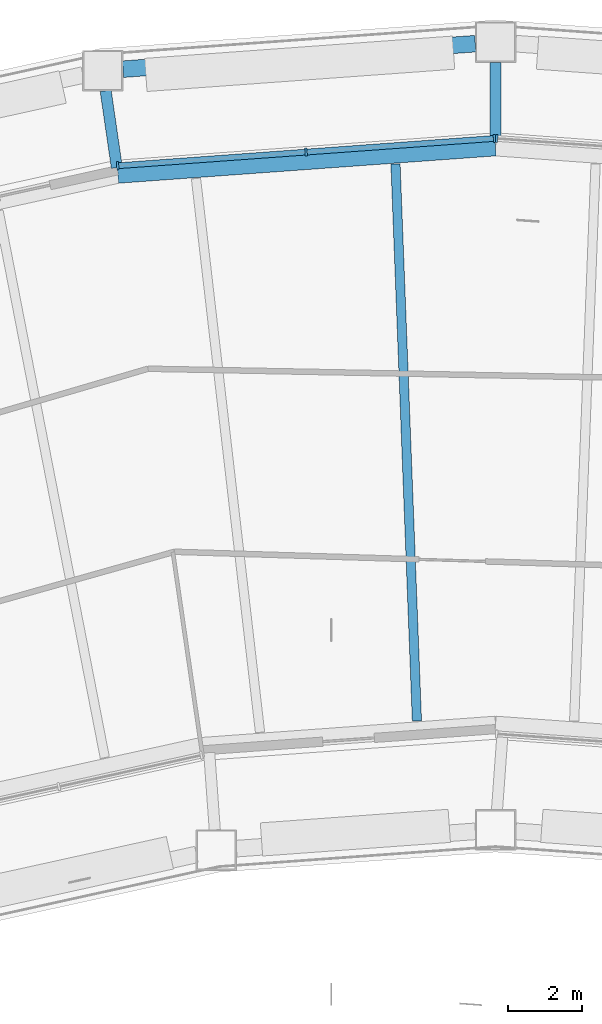
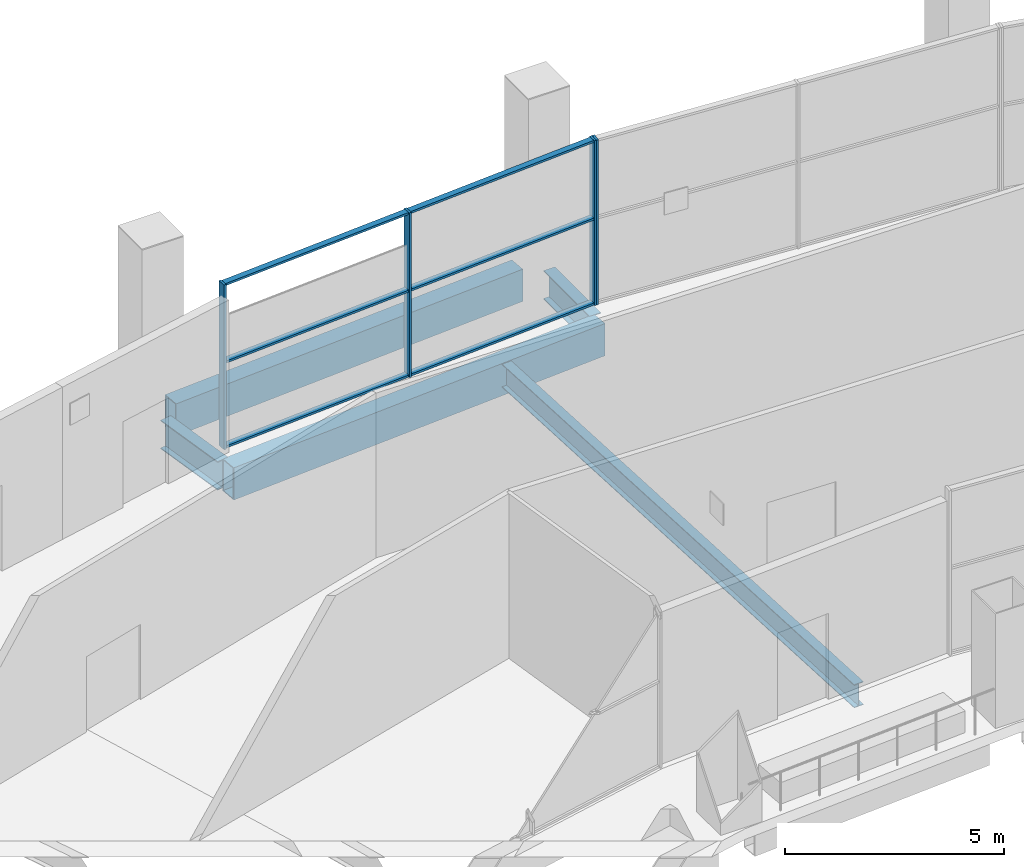
# One storey, part 6 of 28: 10 members, 5 beams, 2 elements without a shape of their own.
"""IFC4 building model written with IfcOpenShell, lengths in metres."""

from ifc_helpers import new_model, si_unit, direction, frame, origin, origin_2d, place, context, subcontext, project, spatial, rectangle, hollow_rectangle, i_section, extrude, material, layer, layer_set, material_profile, profile_set, type_object, element, aggregate, save


model = new_model("IFC4")

# Units and contexts
model_context = context("Model", 3, precision=1e-05, world=origin(), true_north=direction((0.0, 1.0)))
body_context = subcontext(model_context, "Body", "Model", "MODEL_VIEW")
ifc_project = project(units=[si_unit("LENGTHUNIT", "METRE"), si_unit("AREAUNIT", "SQUARE_METRE"), si_unit("VOLUMEUNIT", "CUBIC_METRE"), si_unit("PLANEANGLEUNIT", "RADIAN"), si_unit("MASSUNIT", "GRAM", prefix="KILO")], contexts=[model_context])

# Site, building, storey
site_placement = place(None, origin())
site = spatial("IfcSite", under=ifc_project, at=site_placement, CompositionType="ELEMENT")
building_placement = place(site_placement, origin())
building = spatial("IfcBuilding", under=site, at=building_placement, Name="Tuul Gate Civic Tower", CompositionType="ELEMENT")
storey_placement = place(building_placement, frame((0.0, 0.0, 128.699951171875)))
storey = spatial("IfcBuildingStorey", under=building, at=storey_placement, Name="Sky garden level 1", CompositionType="ELEMENT", Elevation=128.699951171875)

# Curtain wall, member
ifc_material_1 = material(Name="Aluminium", Category="aluminium")
ifc_layer = layer(ifc_material_1, 0.199951171875)
ifc_layer_set = layer_set([ifc_layer], Name="Aluminium")
curtain_wall_type = type_object("IfcCurtainWallType", Name="Curtain wall CW3", PredefinedType="NOTDEFINED", material=ifc_layer_set)
curtain_wall_1_placement = place(storey_placement, origin())
curtain_wall_1 = element("IfcCurtainWall", 1, at=curtain_wall_1_placement, inside=storey, type_object=curtain_wall_type, Name="Curtain wall CW3", PredefinedType="NOTDEFINED")
ifc_material_2 = material(Name="Aluminium", Category="aluminium")
ifc_material_profile_1 = material_profile(ifc_material_2, rectangle(XDim=0.219970703125, YDim=0.06005859375, at=origin_2d()), Name="CW3 mullion")
ifc_profile_set_1 = profile_set([ifc_material_profile_1], Name="Aluminium")
member_type_1 = type_object("IfcMemberType", Name="CW3 mullion", PredefinedType="MULLION", material=ifc_profile_set_1)
member_1_placement = place(storey_placement, frame((9.85888671875, 11.077880859375, 0.0), z_axis=(0.0, 0.0, 1.0), x_axis=(-0.072323245822, -0.997381245118, 0.0)))
member_1 = element("IfcMember", 2, at=member_1_placement, type_object=member_type_1, Name="Mullion", PredefinedType="MULLION", context=body_context, shape_type="SweptSolid", body=[
    extrude(rectangle(XDim=0.219970703125, YDim=0.06005859375, at=origin_2d()), origin(), (0.0, 0.0, 1.0), 4.60009765625),
])
aggregate(curtain_wall_1, [member_1])

# Curtain wall, members
curtain_wall_2_placement = place(storey_placement, origin())
curtain_wall_2 = element("IfcCurtainWall", 3, at=curtain_wall_2_placement, inside=storey, type_object=curtain_wall_type, Name="Curtain wall CW3", PredefinedType="NOTDEFINED")
member_2_placement = place(storey_placement, frame((9.799072265625, 11.077880859375, 0.0), z_axis=(0.0, 0.0, 1.0), x_axis=(0.072323245822, -0.997381245118, 0.0)))
member_2 = element("IfcMember", 4, at=member_2_placement, type_object=member_type_1, Name="Mullion", PredefinedType="MULLION", context=body_context, shape_type="SweptSolid", body=[
    extrude(rectangle(XDim=0.219970703125, YDim=0.06005859375, at=origin_2d()), origin(), (0.0, 0.0, 1.0), 4.60009765625),
])
member_3_placement = place(storey_placement, frame((4.69189453125, 10.70751953125, 0.0), z_axis=(0.0, 0.0, 1.0), x_axis=(0.072323245822, -0.997381245118, 0.0)))
member_3 = element("IfcMember", 5, at=member_3_placement, type_object=member_type_1, Name="Mullion", PredefinedType="MULLION", context=body_context, shape_type="SweptSolid", body=[
    extrude(rectangle(XDim=0.219970703125, YDim=0.06005859375, at=origin_2d()), origin(), (0.0, 0.0, 1.0), 4.60009765625),
])
member_4_placement = place(storey_placement, frame((-0.4150390625, 10.337158203125, 0.0), z_axis=(0.0, 0.0, 1.0), x_axis=(0.072323245822, -0.997381245118, 0.0)))
member_4 = element("IfcMember", 6, at=member_4_placement, type_object=member_type_1, Name="Mullion", PredefinedType="MULLION", context=body_context, shape_type="SweptSolid", body=[
    extrude(rectangle(XDim=0.219970703125, YDim=0.06005859375, at=origin_2d()), origin(), (0.0, 0.0, 1.0), 4.60009765625),
])
ifc_material_3 = material(Name="Aluminium", Category="aluminium")
ifc_material_profile_2 = material_profile(ifc_material_3, rectangle(XDim=0.159912109375, YDim=0.06005859375, at=origin_2d()), Name="CW3 transom")
ifc_profile_set_2 = profile_set([ifc_material_profile_2], Name="Aluminium")
member_type_2 = type_object("IfcMemberType", Name="CW3 transom", PredefinedType="USERDEFINED", material=ifc_profile_set_2)
member_5_placement = place(storey_placement, frame((9.76904296875, 11.07568359375, 0.030029296875), z_axis=(-0.997381468338, -0.072320167418, 0.0), x_axis=(0.072320167418, -0.997381468338, 0.0)))
member_5 = element("IfcMember", 7, at=member_5_placement, type_object=member_type_2, Name="Transom", ObjectType="TRANSOM", PredefinedType="USERDEFINED", context=body_context, shape_type="SweptSolid", body=[
    extrude(rectangle(XDim=0.159912109375, YDim=0.06005859375, at=origin_2d()), origin(), (0.0, 0.0, 1.0), 5.060302734375),
])
member_6_placement = place(storey_placement, frame((9.76904296875, 11.07568359375, 2.400146484375), z_axis=(-0.997381468338, -0.072320167418, 0.0), x_axis=(0.072320167418, -0.997381468338, 0.0)))
member_6 = element("IfcMember", 8, at=member_6_placement, type_object=member_type_2, Name="Transom", ObjectType="TRANSOM", PredefinedType="USERDEFINED", context=body_context, shape_type="SweptSolid", body=[
    extrude(rectangle(XDim=0.159912109375, YDim=0.06005859375, at=origin_2d()), origin(), (0.0, 0.0, 1.0), 5.060302734375),
])
member_7_placement = place(storey_placement, frame((9.76904296875, 11.07568359375, 4.570068359375), z_axis=(-0.997381468338, -0.072320167418, 0.0), x_axis=(0.072320167418, -0.997381468338, 0.0)))
member_7 = element("IfcMember", 9, at=member_7_placement, type_object=member_type_2, Name="Transom", ObjectType="TRANSOM", PredefinedType="USERDEFINED", context=body_context, shape_type="SweptSolid", body=[
    extrude(rectangle(XDim=0.159912109375, YDim=0.06005859375, at=origin_2d()), origin(), (0.0, 0.0, 1.0), 5.060302734375),
])
member_8_placement = place(storey_placement, frame((4.662109375, 10.705322265625, 0.030029296875), z_axis=(-0.997381720655, -0.072316687591, 0.0), x_axis=(0.072316687591, -0.997381720655, 0.0)))
member_8 = element("IfcMember", 10, at=member_8_placement, type_object=member_type_2, Name="Transom", ObjectType="TRANSOM", PredefinedType="USERDEFINED", context=body_context, shape_type="SweptSolid", body=[
    extrude(rectangle(XDim=0.159912109375, YDim=0.06005859375, at=origin_2d()), origin(), (0.0, 0.0, 1.0), 5.060546875),
])
member_9_placement = place(storey_placement, frame((4.662109375, 10.705322265625, 2.400146484375), z_axis=(-0.997381720655, -0.072316687591, 0.0), x_axis=(0.072316687591, -0.997381720655, 0.0)))
member_9 = element("IfcMember", 11, at=member_9_placement, type_object=member_type_2, Name="Transom", ObjectType="TRANSOM", PredefinedType="USERDEFINED", context=body_context, shape_type="SweptSolid", body=[
    extrude(rectangle(XDim=0.159912109375, YDim=0.06005859375, at=origin_2d()), origin(), (0.0, 0.0, 1.0), 5.060546875),
])
member_10_placement = place(storey_placement, frame((4.662109375, 10.705322265625, 4.570068359375), z_axis=(-0.997381720655, -0.072316687591, 0.0), x_axis=(0.072316687591, -0.997381720655, 0.0)))
member_10 = element("IfcMember", 12, at=member_10_placement, type_object=member_type_2, Name="Transom", ObjectType="TRANSOM", PredefinedType="USERDEFINED", context=body_context, shape_type="SweptSolid", body=[
    extrude(rectangle(XDim=0.159912109375, YDim=0.06005859375, at=origin_2d()), origin(), (0.0, 0.0, 1.0), 5.060546875),
])
aggregate(curtain_wall_2, [member_2, member_3, member_4, member_5, member_6, member_7, member_8, member_9, member_10])

# Beams
ifc_material_4 = material(Name="Steel S355", Category="steel")
ifc_material_profile_3 = material_profile(ifc_material_4, i_section(OverallWidth=0.25, OverallDepth=0.64990234375, WebThickness=0.011962890625, FlangeThickness=0.02001953125, at=origin_2d()), Name="PG650x250x12x20")
ifc_profile_set_3 = profile_set([ifc_material_profile_3], Name="Steel S355")
beam_type_1 = type_object("IfcBeamType", Name="STR-FLOOR BEAM-PG650x250x12x20", PredefinedType="BEAM", material=ifc_profile_set_3)
beam_1_placement = place(storey_placement, frame((7.697021484375, -4.715576171875, -0.625), z_axis=(-0.038377889865, 0.999263297419, 0.0), x_axis=(-0.999263297419, -0.038377889865, 0.0)))
element("IfcBeam", 13, at=beam_1_placement, inside=storey, type_object=beam_type_1, Name="Floor beam", PredefinedType="BEAM", context=body_context, shape_type="SweptSolid", body=[
    extrude(i_section(OverallWidth=0.25, OverallDepth=0.64990234375, WebThickness=0.011962890625, FlangeThickness=0.02001953125, at=origin_2d()), origin(), (0.0, 0.0, 1.0), 15.108642578125),
])
ifc_material_5 = material(Name="Steel S355", Category="steel")
ifc_material_profile_4 = material_profile(ifc_material_5, i_section(OverallWidth=0.300048828125, OverallDepth=0.800048828125, WebThickness=0.013916015625, FlangeThickness=0.02490234375, at=origin_2d()), Name="PG800x300x14x25")
ifc_profile_set_4 = profile_set([ifc_material_profile_4], Name="Steel S355")
beam_type_2 = type_object("IfcBeamType", Name="STR-FLOOR BEAM-PG800x300x14x25", PredefinedType="BEAM", material=ifc_profile_set_4)
beam_2_placement = place(storey_placement, frame((9.8291015625, 13.135986328125, -0.699951171875), z_axis=(0.0, -1.0, 0.0), x_axis=(1.0, 0.0, 0.0)))
element("IfcBeam", 14, at=beam_2_placement, inside=storey, type_object=beam_type_2, Name="Terrace beam", PredefinedType="BEAM", context=body_context, shape_type="SweptSolid", body=[
    extrude(i_section(OverallWidth=0.300048828125, OverallDepth=0.800048828125, WebThickness=0.013916015625, FlangeThickness=0.02490234375, at=origin_2d()), origin(), (0.0, 0.0, 1.0), 2.10693359375),
])
beam_3_placement = place(storey_placement, frame((-0.74169921875, 12.370849609375, -0.699951171875), z_axis=(0.144096588185, -0.989563627703, 0.0), x_axis=(0.989563627703, 0.144096588185, 0.0)))
element("IfcBeam", 15, at=beam_3_placement, inside=storey, type_object=beam_type_2, Name="Terrace beam", PredefinedType="BEAM", context=body_context, shape_type="SweptSolid", body=[
    extrude(i_section(OverallWidth=0.300048828125, OverallDepth=0.800048828125, WebThickness=0.013916015625, FlangeThickness=0.02490234375, at=origin_2d()), origin(), (0.0, 0.0, 1.0), 2.107666015625),
])
ifc_material_6 = material(Name="Steel S355", Category="steel")
ifc_material_profile_5 = material_profile(ifc_material_6, hollow_rectangle(XDim=0.449951171875, YDim=0.89990234375, WallThickness=0.02490234375, at=origin_2d()), Name="BOX900x450x25")
ifc_profile_set_5 = profile_set([ifc_material_profile_5], Name="Steel S355")
beam_type_3 = type_object("IfcBeamType", Name="STR-SPANDREL BEAM-BOX900x450x25", PredefinedType="BEAM", material=ifc_profile_set_5)
beam_4_placement = place(storey_placement, frame((-0.4091796875, 10.087158203125, -0.75), z_axis=(0.99738623691, 0.072254373038, 0.0), x_axis=(-0.072254373038, 0.99738623691, 0.0)))
element("IfcBeam", 16, at=beam_4_placement, inside=storey, type_object=beam_type_3, Name="Spandrel beam", PredefinedType="BEAM", context=body_context, shape_type="SweptSolid", body=[
    extrude(hollow_rectangle(XDim=0.449951171875, YDim=0.89990234375, WallThickness=0.02490234375, at=origin_2d()), origin(), (0.0, 0.0, 1.0), 10.26513671875),
])
beam_5_placement = place(storey_placement, frame((9.280517578125, 13.646240234375, -0.75), z_axis=(-0.997391103387, -0.072187165652, 0.0), x_axis=(0.072187165652, -0.997391103387, 0.0)))
element("IfcBeam", 17, at=beam_5_placement, inside=storey, type_object=beam_type_3, Name="Terrace edge beam", PredefinedType="BEAM", context=body_context, shape_type="SweptSolid", body=[
    extrude(hollow_rectangle(XDim=0.449951171875, YDim=0.89990234375, WallThickness=0.02490234375, at=origin_2d()), origin(), (0.0, 0.0, 1.0), 9.577880859375),
])

save(model, "model.ifc")
